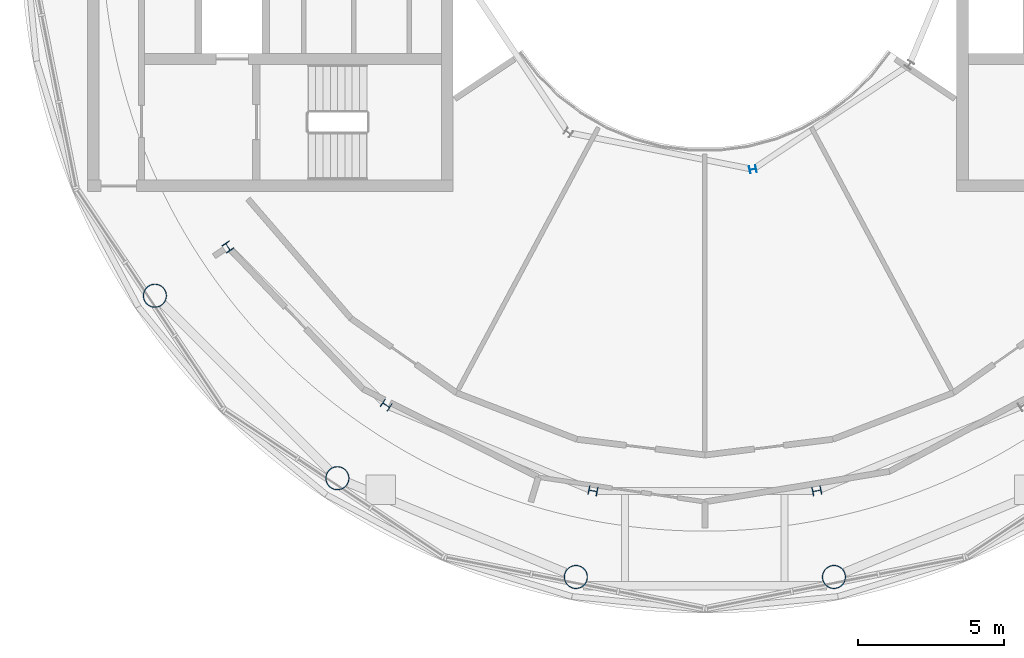
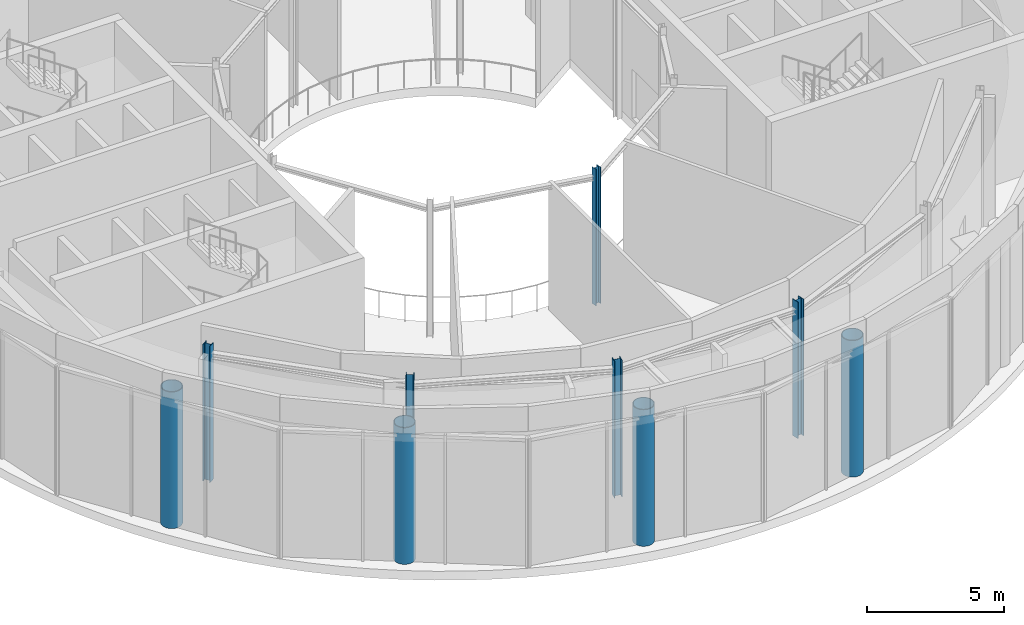
# One storey, part 1 of 20: 9 columns.
"""IFC4 building model written with IfcOpenShell, lengths in metres."""

from ifc_helpers import new_model, si_unit, direction, frame, origin, origin_2d, place, context, subcontext, project, spatial, hollow_circle, i_section, extrude, material, material_profile, profile_set, type_object, element, save


model = new_model("IFC4")

# Units and contexts
model_context = context("Model", 3, precision=1e-05, world=origin(), true_north=direction((0.0, 1.0)))
body_context = subcontext(model_context, "Body", "Model", "MODEL_VIEW")
ifc_project = project(units=[si_unit("LENGTHUNIT", "METRE"), si_unit("AREAUNIT", "SQUARE_METRE"), si_unit("VOLUMEUNIT", "CUBIC_METRE"), si_unit("PLANEANGLEUNIT", "RADIAN"), si_unit("MASSUNIT", "GRAM", prefix="KILO")], contexts=[model_context])

# Site, building, storey
site_placement = place(None, origin())
site = spatial("IfcSite", under=ifc_project, at=site_placement, CompositionType="ELEMENT")
building_placement = place(site_placement, origin())
building = spatial("IfcBuilding", under=site, at=building_placement, Name="Maasbend Ring Residences", CompositionType="ELEMENT")
storey_placement = place(building_placement, frame((0.0, 0.0, 255.39990234375)))
storey = spatial("IfcBuildingStorey", under=building, at=storey_placement, Name="L74", CompositionType="ELEMENT", Elevation=255.39990234375)

# Columns
ifc_material_1 = material(Name="Composite concrete-filled steel tube S460NH / C80/95", Category="concrete")
ifc_material_profile_1 = material_profile(ifc_material_1, hollow_circle(Radius=0.406494140625, WallThickness=0.030029296875, at=origin_2d()), Name="Composite tube column CHS 813x30")
ifc_profile_set_1 = profile_set([ifc_material_profile_1], Name="Composite concrete-filled steel tube S460NH / C80/95")
column_type_1 = type_object("IfcColumnType", Name="Composite tube column CHS 813x30", PredefinedType="COLUMN", material=ifc_profile_set_1)
for number, where, z_axis, x_axis, name in (
    (1, (-18.791259765625, -12.555908203125, 0.0), (0.0, 0.0, 1.0), (1.0, 0.0, 0.0), "Outer column R10"),
    (2, (-12.555908203125, -18.791259765625, 0.0), (0.0, 0.0, 1.0), (1.0, 0.0, 0.0), "Outer column R11"),
    (3, (-4.408935546875, -22.165771484375, 0.0), (0.0, 0.0, 1.0), (1.0, 0.0, 0.0), "Outer column R12"),
    (4, (4.408935546875, -22.165771484375, 0.0), (0.0, 0.0, 1.0), (1.0, 0.0, 0.0), "Outer column R13"),
):
    element("IfcColumn", number, at=place(storey_placement, frame(where, z_axis=z_axis, x_axis=x_axis)), inside=storey, type_object=column_type_1, Name=name, PredefinedType="COLUMN", context=body_context, shape_type="SweptSolid", body=[
        extrude(hollow_circle(Radius=0.406494140625, WallThickness=0.030029296875, at=origin_2d()), origin(), (0.0, 0.0, 1.0), 6.10009765625),
    ])
ifc_material_2 = material(Name="Steel S355J2", Category="steel")
ifc_material_profile_2 = material_profile(ifc_material_2, i_section(OverallWidth=0.239990234375, OverallDepth=0.22998046875, WebThickness=0.007568359375, FlangeThickness=0.011962890625, FilletRadius=0.02099609375, at=origin_2d()), Name="HEA 240")
ifc_profile_set_2 = profile_set([ifc_material_profile_2], Name="Steel S355J2")
column_type_2 = type_object("IfcColumnType", Name="Steel column HEA 240", PredefinedType="COLUMN", material=ifc_profile_set_2)
column_placement = place(storey_placement, frame((1.638916015625, -8.238525390625, 0.0), z_axis=(0.0, 0.0, 1.0), x_axis=(0.195090322016, -0.980785280403, 0.0)))
element("IfcColumn", 5, at=column_placement, inside=storey, type_object=column_type_2, Name="Well ring column R13", PredefinedType="COLUMN", context=body_context, shape_type="SweptSolid", body=[
    extrude(i_section(OverallWidth=0.239990234375, OverallDepth=0.22998046875, WebThickness=0.007568359375, FlangeThickness=0.011962890625, FilletRadius=0.02099609375, at=origin_2d()), origin(), (0.0, 0.0, 1.0), 6.10009765625),
])
ifc_material_3 = material(Name="Steel S355J2", Category="steel")
ifc_material_profile_3 = material_profile(ifc_material_3, i_section(OverallWidth=0.300048828125, OverallDepth=0.300048828125, WebThickness=0.010986328125, FlangeThickness=0.01904296875, FilletRadius=0.027099609375, at=origin_2d()), Name="HEB 300")
ifc_profile_set_3 = profile_set([ifc_material_profile_3], Name="Steel S355J2")
column_type_3 = type_object("IfcColumnType", Name="Steel column HEB 300", PredefinedType="COLUMN", material=ifc_profile_set_3)
for number, where, z_axis, x_axis, name in (
    (6, (-16.296875, -10.88916015625, 0.0), (0.0, 0.0, 1.0), (-0.831469612303, -0.55557023302, 0.0), "Corridor ring column R10"),
    (7, (-10.88916015625, -16.296875, 0.0), (0.0, 0.0, 1.0), (-0.55557023302, -0.831469612303, 0.0), "Corridor ring column R11"),
    (8, (-3.82373046875, -19.223388671875, 0.0), (0.0, 0.0, 1.0), (-0.195090322016, -0.980785280403, 0.0), "Corridor ring column R12"),
    (9, (3.82373046875, -19.223388671875, 0.0), (0.0, 0.0, 1.0), (0.195090322016, -0.980785280403, 0.0), "Corridor ring column R13"),
):
    element("IfcColumn", number, at=place(storey_placement, frame(where, z_axis=z_axis, x_axis=x_axis)), inside=storey, type_object=column_type_3, Name=name, PredefinedType="COLUMN", context=body_context, shape_type="SweptSolid", body=[
        extrude(i_section(OverallWidth=0.300048828125, OverallDepth=0.300048828125, WebThickness=0.010986328125, FlangeThickness=0.01904296875, FilletRadius=0.027099609375, at=origin_2d()), origin(), (0.0, 0.0, 1.0), 6.10009765625),
    ])

save(model, "model.ifc")
